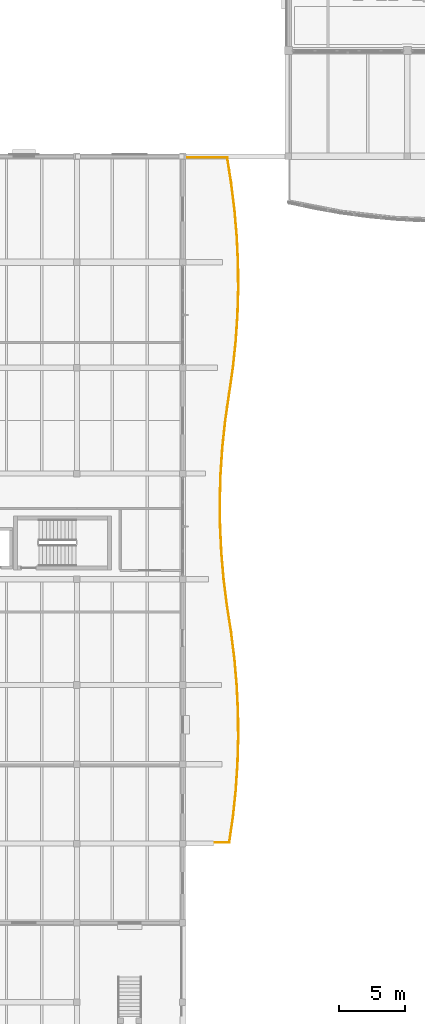
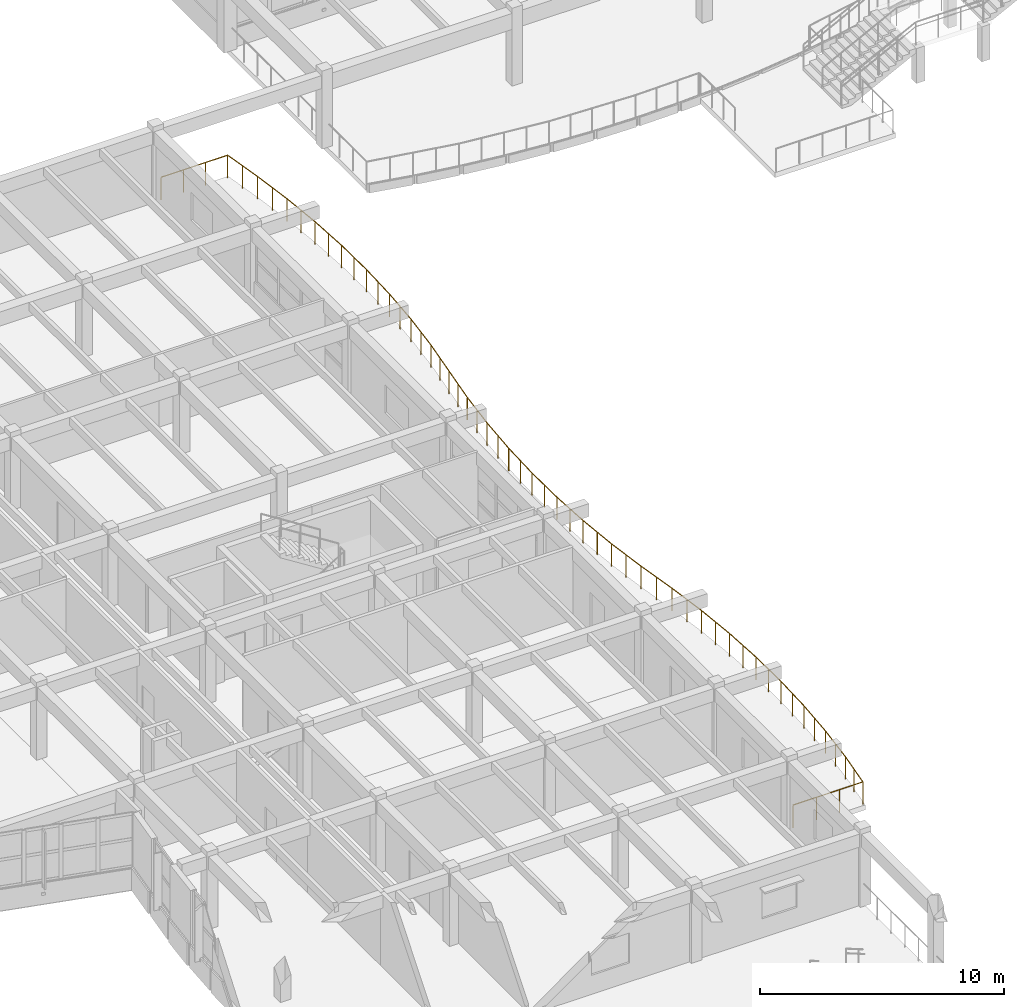
# One storey, part 80 of 89: 1 railing.
"""IFC4 building model written with IfcOpenShell, lengths in metres."""

from ifc_helpers import new_model, si_unit, direction, frame, origin, origin_2d, place, context, subcontext, project, spatial, circle, extrude, material, type_object, element, save


model = new_model("IFC4")

# Units and contexts
model_context = context("Model", 3, precision=1e-05, world=origin(), true_north=direction((0.0, 1.0)))
body_context = subcontext(model_context, "Body", "Model", "MODEL_VIEW")
ifc_project = project(units=[si_unit("LENGTHUNIT", "METRE"), si_unit("AREAUNIT", "SQUARE_METRE"), si_unit("VOLUMEUNIT", "CUBIC_METRE"), si_unit("PLANEANGLEUNIT", "RADIAN"), si_unit("MASSUNIT", "GRAM", prefix="KILO")], contexts=[model_context])

# Site, building, storey
site_placement = place(None, origin())
site = spatial("IfcSite", under=ifc_project, at=site_placement, CompositionType="ELEMENT")
building_placement = place(site_placement, origin())
building = spatial("IfcBuilding", under=site, at=building_placement, Name="Tonlespit Floodbar School", CompositionType="ELEMENT")
storey_placement = place(building_placement, frame((0.0, 0.0, 4.5)))
storey = spatial("IfcBuildingStorey", under=building, at=storey_placement, Name="L01", CompositionType="ELEMENT", Elevation=4.5)

# Railing
ifc_material = material(Name="Galvanised Steel", Category="steel")
railing_type = type_object("IfcRailingType", Name="Balustrade_Ext_1150", PredefinedType="BALUSTRADE", material=ifc_material)
railing_placement = place(storey_placement, frame((36.22216796875, 95.919921875, 0.0)))
element("IfcRailing", 1, at=railing_placement, inside=storey, type_object=railing_type, Name="L01 terrace balustrade 010", PredefinedType="BALUSTRADE", context=body_context, shape_type="SweptSolid", body=[
    extrude(circle(Radius=0.02392578125, at=origin_2d()), frame((0.0, 0.0, 1.1259765625), z_axis=(1.0, 0.0, 0.0), x_axis=(0.0, 1.0, 0.0)), (0.0, 0.0, 1.0), 3.153076171875),
    extrude(circle(Radius=0.02392578125, at=origin_2d()), frame((3.153076171875, 0.0, 1.1259765625), z_axis=(0.15415965399, -0.988045950896, 0.0), x_axis=(0.988045950896, 0.15415965399, 0.0)), (0.0, 0.0, 1.0), 1.954345703125),
    extrude(circle(Radius=0.02392578125, at=origin_2d()), frame((3.454345703125, -1.930908203125, 1.1259765625), z_axis=(0.124915343576, -0.992167403687, 0.0), x_axis=(0.992167403687, 0.124915343576, 0.0)), (0.0, 0.0, 1.0), 2.01318359375),
    extrude(circle(Radius=0.02392578125, at=origin_2d()), frame((3.705810546875, -3.92822265625, 1.1259765625), z_axis=(0.086724225217, -0.996232356813, 0.0), x_axis=(0.996232356813, 0.086724225217, 0.0)), (0.0, 0.0, 1.0), 2.00439453125),
    extrude(circle(Radius=0.02392578125, at=origin_2d()), frame((3.879638671875, -5.925048828125, 1.1259765625), z_axis=(0.047988657349, -0.998847880693, 0.0), x_axis=(0.998847880693, 0.047988657349, 0.0)), (0.0, 0.0, 1.0), 1.999267578125),
    extrude(circle(Radius=0.02392578125, at=origin_2d()), frame((3.9755859375, -7.922119140625, 1.1259765625), z_axis=(0.009658431978, -0.999953356258, 0.0), x_axis=(0.999953356258, 0.009658431978, 0.0)), (0.0, 0.0, 1.0), 1.996826171875),
    extrude(circle(Radius=0.02392578125, at=origin_2d()), frame((3.994873046875, -9.9189453125, 1.1259765625), z_axis=(-0.028838855916, -0.999584073697, 0.0), x_axis=(0.999584073697, -0.028838855916, 0.0)), (0.0, 0.0, 1.0), 1.997802734375),
    extrude(circle(Radius=0.02392578125, at=origin_2d()), frame((3.937255859375, -11.916015625, 1.1259765625), z_axis=(-0.067336731777, -0.997730306523, 0.0), x_axis=(0.997730306523, -0.067336731777, 0.0)), (0.0, 0.0, 1.0), 2.00146484375),
    extrude(circle(Radius=0.02392578125, at=origin_2d()), frame((3.802490234375, -13.912841796875, 1.1259765625), z_axis=(-0.105773265444, -0.994390273644, 0.0), x_axis=(0.994390273644, -0.105773265444, 0.0)), (0.0, 0.0, 1.0), 2.008056640625),
    extrude(circle(Radius=0.02392578125, at=origin_2d()), frame((3.590087890625, -15.90966796875, 1.1259765625), z_axis=(-0.144314289897, -0.989531902331, 0.0), x_axis=(0.989531902331, -0.144314289897, 0.0)), (0.0, 0.0, 1.0), 2.02001953125),
    extrude(circle(Radius=0.02392578125, at=origin_2d()), frame((3.298583984375, -17.908447265625, 1.1259765625), z_axis=(-0.144262527871, -0.989539449973, 0.0), x_axis=(0.989539449973, -0.144262527871, 0.0)), (0.0, 0.0, 1.0), 2.020751953125),
    extrude(circle(Radius=0.02392578125, at=origin_2d()), frame((3.007080078125, -19.907958984375, 1.1259765625), z_axis=(-0.105801352872, -0.994387285584, 0.0), x_axis=(0.994387285584, -0.105801352872, 0.0)), (0.0, 0.0, 1.0), 2.014404296875),
    extrude(circle(Radius=0.02392578125, at=origin_2d()), frame((2.7939453125, -21.9111328125, 1.1259765625), z_axis=(-0.067374594557, -0.997727750445, 0.0), x_axis=(0.997727750445, -0.067374594557, 0.0)), (0.0, 0.0, 1.0), 2.007568359375),
    extrude(circle(Radius=0.02392578125, at=origin_2d()), frame((2.65869140625, -23.9140625, 1.1259765625), z_axis=(-0.028872784076, -0.999583094265, 0.0), x_axis=(0.999583094265, -0.028872784076, 0.0)), (0.0, 0.0, 1.0), 2.00390625),
    extrude(circle(Radius=0.02392578125, at=origin_2d()), frame((2.600830078125, -25.917236328125, 1.1259765625), z_axis=(0.009627829185, -0.999953651378, 0.0), x_axis=(0.999953651378, 0.009627829185, 0.0)), (0.0, 0.0, 1.0), 2.003173828125),
    extrude(circle(Radius=0.02392578125, at=origin_2d()), frame((2.6201171875, -27.92041015625, 1.1259765625), z_axis=(0.048091535643, -0.998842932697, 0.0), x_axis=(0.998842932697, 0.048091535643, 0.0)), (0.0, 0.0, 1.0), 2.00537109375),
    extrude(circle(Radius=0.02392578125, at=origin_2d()), frame((2.716552734375, -29.92333984375, 1.1259765625), z_axis=(0.086451470678, -0.996256063077, 0.0), x_axis=(0.996256063077, 0.086451470678, 0.0)), (0.0, 0.0, 1.0), 2.0107421875),
    extrude(circle(Radius=0.02392578125, at=origin_2d()), frame((2.890380859375, -31.926513671875, 1.1259765625), z_axis=(0.125031801042, -0.992152734577, 0.0), x_axis=(0.992152734577, 0.125031801042, 0.0)), (0.0, 0.0, 1.0), 2.01904296875),
    extrude(circle(Radius=0.02392578125, at=origin_2d()), frame((3.142822265625, -33.9296875, 1.1259765625), z_axis=(0.153814239619, -0.988099782254, 0.0), x_axis=(0.988099782254, 0.153814239619, 0.0)), (0.0, 0.0, 1.0), 2.025390625),
    extrude(circle(Radius=0.02392578125, at=origin_2d()), frame((3.454345703125, -35.930908203125, 1.1259765625), z_axis=(0.124915343576, -0.992167403687, 0.0), x_axis=(0.992167403687, 0.124915343576, 0.0)), (0.0, 0.0, 1.0), 2.01318359375),
    extrude(circle(Radius=0.02392578125, at=origin_2d()), frame((3.705810546875, -37.92822265625, 1.1259765625), z_axis=(0.086724225217, -0.996232356813, 0.0), x_axis=(0.996232356813, 0.086724225217, 0.0)), (0.0, 0.0, 1.0), 2.00439453125),
    extrude(circle(Radius=0.02392578125, at=origin_2d()), frame((3.879638671875, -39.925048828125, 1.1259765625), z_axis=(0.047988657349, -0.998847880693, 0.0), x_axis=(0.998847880693, 0.047988657349, 0.0)), (0.0, 0.0, 1.0), 1.999267578125),
    extrude(circle(Radius=0.02392578125, at=origin_2d()), frame((3.9755859375, -41.922119140625, 1.1259765625), z_axis=(0.009658431978, -0.999953356258, 0.0), x_axis=(0.999953356258, 0.009658431978, 0.0)), (0.0, 0.0, 1.0), 1.996826171875),
    extrude(circle(Radius=0.02392578125, at=origin_2d()), frame((3.994873046875, -43.9189453125, 1.1259765625), z_axis=(-0.028838855916, -0.999584073697, 0.0), x_axis=(0.999584073697, -0.028838855916, 0.0)), (0.0, 0.0, 1.0), 1.997802734375),
    extrude(circle(Radius=0.02392578125, at=origin_2d()), frame((3.937255859375, -45.916015625, 1.1259765625), z_axis=(-0.067336731777, -0.997730306523, 0.0), x_axis=(0.997730306523, -0.067336731777, 0.0)), (0.0, 0.0, 1.0), 2.00146484375),
    extrude(circle(Radius=0.02392578125, at=origin_2d()), frame((3.802490234375, -47.912841796875, 1.1259765625), z_axis=(-0.105773265444, -0.994390273644, 0.0), x_axis=(0.994390273644, -0.105773265444, 0.0)), (0.0, 0.0, 1.0), 2.008056640625),
    extrude(circle(Radius=0.02392578125, at=origin_2d()), frame((3.590087890625, -49.90966796875, 1.1259765625), z_axis=(-0.144225167028, -0.989544895998, 0.0), x_axis=(0.989544895998, -0.144225167028, 0.0)), (0.0, 0.0, 1.0), 1.9501953125),
    extrude(circle(Radius=0.02392578125, at=origin_2d()), frame((3.308837890625, -51.83935546875, 1.1259765625), z_axis=(-0.999999989112, -0.000147568802, 0.0), x_axis=(0.000147568802, -0.999999989112, 0.0)), (0.0, 0.0, 1.0), 3.308837890625),
    extrude(circle(Radius=0.02099609375, at=origin_2d()), origin(), (0.0, 0.0, 1.0), 1.101806640625),
    extrude(circle(Radius=0.02099609375, at=origin_2d()), frame((1.051025390625, 0.0, 0.0)), (0.0, 0.0, 1.0), 1.101806640625),
    extrude(circle(Radius=0.02099609375, at=origin_2d()), frame((2.10205078125, 0.0, 0.0)), (0.0, 0.0, 1.0), 1.101806640625),
    extrude(circle(Radius=0.02099609375, at=origin_2d()), frame((3.153076171875, 0.0, 0.0)), (0.0, 0.0, 1.0), 1.101806640625),
    extrude(circle(Radius=0.02099609375, at=origin_2d()), frame((3.3037109375, -0.96533203125, 0.0)), (0.0, 0.0, 1.0), 1.101806640625),
    extrude(circle(Radius=0.02099609375, at=origin_2d()), frame((3.454345703125, -1.930908203125, 0.0)), (0.0, 0.0, 1.0), 1.101806640625),
    extrude(circle(Radius=0.02099609375, at=origin_2d()), frame((3.580078125, -2.9296875, 0.0)), (0.0, 0.0, 1.0), 1.101806640625),
    extrude(circle(Radius=0.02099609375, at=origin_2d()), frame((3.705810546875, -3.92822265625, 0.0)), (0.0, 0.0, 1.0), 1.101806640625),
    extrude(circle(Radius=0.02099609375, at=origin_2d()), frame((3.792724609375, -4.9267578125, 0.0)), (0.0, 0.0, 1.0), 1.101806640625),
    extrude(circle(Radius=0.02099609375, at=origin_2d()), frame((3.879638671875, -5.925048828125, 0.0)), (0.0, 0.0, 1.0), 1.101806640625),
    extrude(circle(Radius=0.02099609375, at=origin_2d()), frame((3.927734375, -6.923583984375, 0.0)), (0.0, 0.0, 1.0), 1.101806640625),
    extrude(circle(Radius=0.02099609375, at=origin_2d()), frame((3.9755859375, -7.922119140625, 0.0)), (0.0, 0.0, 1.0), 1.101806640625),
    extrude(circle(Radius=0.02099609375, at=origin_2d()), frame((3.9853515625, -8.92041015625, 0.0)), (0.0, 0.0, 1.0), 1.101806640625),
    extrude(circle(Radius=0.02099609375, at=origin_2d()), frame((3.994873046875, -9.9189453125, 0.0)), (0.0, 0.0, 1.0), 1.101806640625),
    extrude(circle(Radius=0.02099609375, at=origin_2d()), frame((3.966064453125, -10.91748046875, 0.0)), (0.0, 0.0, 1.0), 1.101806640625),
    extrude(circle(Radius=0.02099609375, at=origin_2d()), frame((3.937255859375, -11.916015625, 0.0)), (0.0, 0.0, 1.0), 1.101806640625),
    extrude(circle(Radius=0.02099609375, at=origin_2d()), frame((3.869873046875, -12.91455078125, 0.0)), (0.0, 0.0, 1.0), 1.101806640625),
    extrude(circle(Radius=0.02099609375, at=origin_2d()), frame((3.802490234375, -13.912841796875, 0.0)), (0.0, 0.0, 1.0), 1.101806640625),
    extrude(circle(Radius=0.02099609375, at=origin_2d()), frame((3.6962890625, -14.9111328125, 0.0)), (0.0, 0.0, 1.0), 1.101806640625),
    extrude(circle(Radius=0.02099609375, at=origin_2d()), frame((3.590087890625, -15.90966796875, 0.0)), (0.0, 0.0, 1.0), 1.101806640625),
    extrude(circle(Radius=0.02099609375, at=origin_2d()), frame((3.4443359375, -16.9091796875, 0.0)), (0.0, 0.0, 1.0), 1.101806640625),
    extrude(circle(Radius=0.02099609375, at=origin_2d()), frame((3.298583984375, -17.908447265625, 0.0)), (0.0, 0.0, 1.0), 1.101806640625),
    extrude(circle(Radius=0.02099609375, at=origin_2d()), frame((3.15283203125, -18.908203125, 0.0)), (0.0, 0.0, 1.0), 1.101806640625),
    extrude(circle(Radius=0.02099609375, at=origin_2d()), frame((3.007080078125, -19.907958984375, 0.0)), (0.0, 0.0, 1.0), 1.101806640625),
    extrude(circle(Radius=0.02099609375, at=origin_2d()), frame((2.900390625, -20.90966796875, 0.0)), (0.0, 0.0, 1.0), 1.101806640625),
    extrude(circle(Radius=0.02099609375, at=origin_2d()), frame((2.7939453125, -21.9111328125, 0.0)), (0.0, 0.0, 1.0), 1.101806640625),
    extrude(circle(Radius=0.02099609375, at=origin_2d()), frame((2.726318359375, -22.91259765625, 0.0)), (0.0, 0.0, 1.0), 1.101806640625),
    extrude(circle(Radius=0.02099609375, at=origin_2d()), frame((2.65869140625, -23.9140625, 0.0)), (0.0, 0.0, 1.0), 1.101806640625),
    extrude(circle(Radius=0.02099609375, at=origin_2d()), frame((2.6298828125, -24.91552734375, 0.0)), (0.0, 0.0, 1.0), 1.101806640625),
    extrude(circle(Radius=0.02099609375, at=origin_2d()), frame((2.600830078125, -25.917236328125, 0.0)), (0.0, 0.0, 1.0), 1.101806640625),
    extrude(circle(Radius=0.02099609375, at=origin_2d()), frame((2.6103515625, -26.9189453125, 0.0)), (0.0, 0.0, 1.0), 1.101806640625),
    extrude(circle(Radius=0.02099609375, at=origin_2d()), frame((2.6201171875, -27.92041015625, 0.0)), (0.0, 0.0, 1.0), 1.101806640625),
    extrude(circle(Radius=0.02099609375, at=origin_2d()), frame((2.66845703125, -28.921875, 0.0)), (0.0, 0.0, 1.0), 1.101806640625),
    extrude(circle(Radius=0.02099609375, at=origin_2d()), frame((2.716552734375, -29.92333984375, 0.0)), (0.0, 0.0, 1.0), 1.101806640625),
    extrude(circle(Radius=0.02099609375, at=origin_2d()), frame((2.803466796875, -30.9248046875, 0.0)), (0.0, 0.0, 1.0), 1.101806640625),
    extrude(circle(Radius=0.02099609375, at=origin_2d()), frame((2.890380859375, -31.926513671875, 0.0)), (0.0, 0.0, 1.0), 1.101806640625),
    extrude(circle(Radius=0.02099609375, at=origin_2d()), frame((3.0166015625, -32.92822265625, 0.0)), (0.0, 0.0, 1.0), 1.101806640625),
    extrude(circle(Radius=0.02099609375, at=origin_2d()), frame((3.142822265625, -33.9296875, 0.0)), (0.0, 0.0, 1.0), 1.101806640625),
    extrude(circle(Radius=0.02099609375, at=origin_2d()), frame((3.298583984375, -34.93017578125, 0.0)), (0.0, 0.0, 1.0), 1.101806640625),
    extrude(circle(Radius=0.02099609375, at=origin_2d()), frame((3.454345703125, -35.930908203125, 0.0)), (0.0, 0.0, 1.0), 1.101806640625),
    extrude(circle(Radius=0.02099609375, at=origin_2d()), frame((3.580078125, -36.9296875, 0.0)), (0.0, 0.0, 1.0), 1.101806640625),
    extrude(circle(Radius=0.02099609375, at=origin_2d()), frame((3.705810546875, -37.92822265625, 0.0)), (0.0, 0.0, 1.0), 1.101806640625),
    extrude(circle(Radius=0.02099609375, at=origin_2d()), frame((3.792724609375, -38.9267578125, 0.0)), (0.0, 0.0, 1.0), 1.101806640625),
    extrude(circle(Radius=0.02099609375, at=origin_2d()), frame((3.879638671875, -39.925048828125, 0.0)), (0.0, 0.0, 1.0), 1.101806640625),
    extrude(circle(Radius=0.02099609375, at=origin_2d()), frame((3.927734375, -40.923583984375, 0.0)), (0.0, 0.0, 1.0), 1.101806640625),
    extrude(circle(Radius=0.02099609375, at=origin_2d()), frame((3.9755859375, -41.922119140625, 0.0)), (0.0, 0.0, 1.0), 1.101806640625),
    extrude(circle(Radius=0.02099609375, at=origin_2d()), frame((3.9853515625, -42.92041015625, 0.0)), (0.0, 0.0, 1.0), 1.101806640625),
    extrude(circle(Radius=0.02099609375, at=origin_2d()), frame((3.994873046875, -43.9189453125, 0.0)), (0.0, 0.0, 1.0), 1.101806640625),
    extrude(circle(Radius=0.02099609375, at=origin_2d()), frame((3.966064453125, -44.91748046875, 0.0)), (0.0, 0.0, 1.0), 1.101806640625),
    extrude(circle(Radius=0.02099609375, at=origin_2d()), frame((3.937255859375, -45.916015625, 0.0)), (0.0, 0.0, 1.0), 1.101806640625),
    extrude(circle(Radius=0.02099609375, at=origin_2d()), frame((3.869873046875, -46.91455078125, 0.0)), (0.0, 0.0, 1.0), 1.101806640625),
    extrude(circle(Radius=0.02099609375, at=origin_2d()), frame((3.802490234375, -47.912841796875, 0.0)), (0.0, 0.0, 1.0), 1.101806640625),
    extrude(circle(Radius=0.02099609375, at=origin_2d()), frame((3.6962890625, -48.9111328125, 0.0)), (0.0, 0.0, 1.0), 1.101806640625),
    extrude(circle(Radius=0.02099609375, at=origin_2d()), frame((3.590087890625, -49.90966796875, 0.0)), (0.0, 0.0, 1.0), 1.101806640625),
    extrude(circle(Radius=0.02099609375, at=origin_2d()), frame((3.449462890625, -50.87451171875, 0.0)), (0.0, 0.0, 1.0), 1.101806640625),
    extrude(circle(Radius=0.02099609375, at=origin_2d()), frame((3.308837890625, -51.83935546875, 0.0)), (0.0, 0.0, 1.0), 1.101806640625),
    extrude(circle(Radius=0.02099609375, at=origin_2d()), frame((2.205810546875, -51.839599609375, 0.0)), (0.0, 0.0, 1.0), 1.101806640625),
    extrude(circle(Radius=0.02099609375, at=origin_2d()), frame((1.10302734375, -51.839599609375, 0.0)), (0.0, 0.0, 1.0), 1.101806640625),
    extrude(circle(Radius=0.02099609375, at=origin_2d()), frame((0.0, -51.83984375, 0.0)), (0.0, 0.0, 1.0), 1.101806640625),
])

save(model, "model.ifc")
